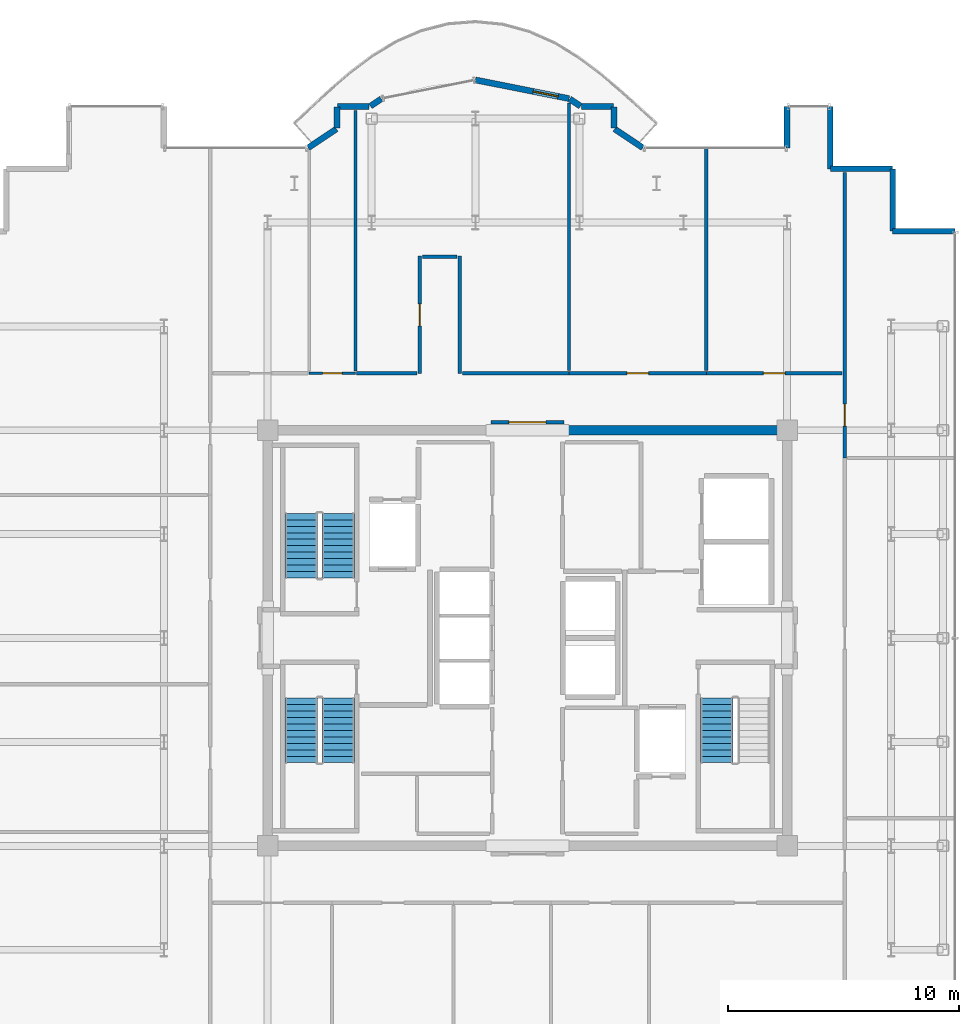
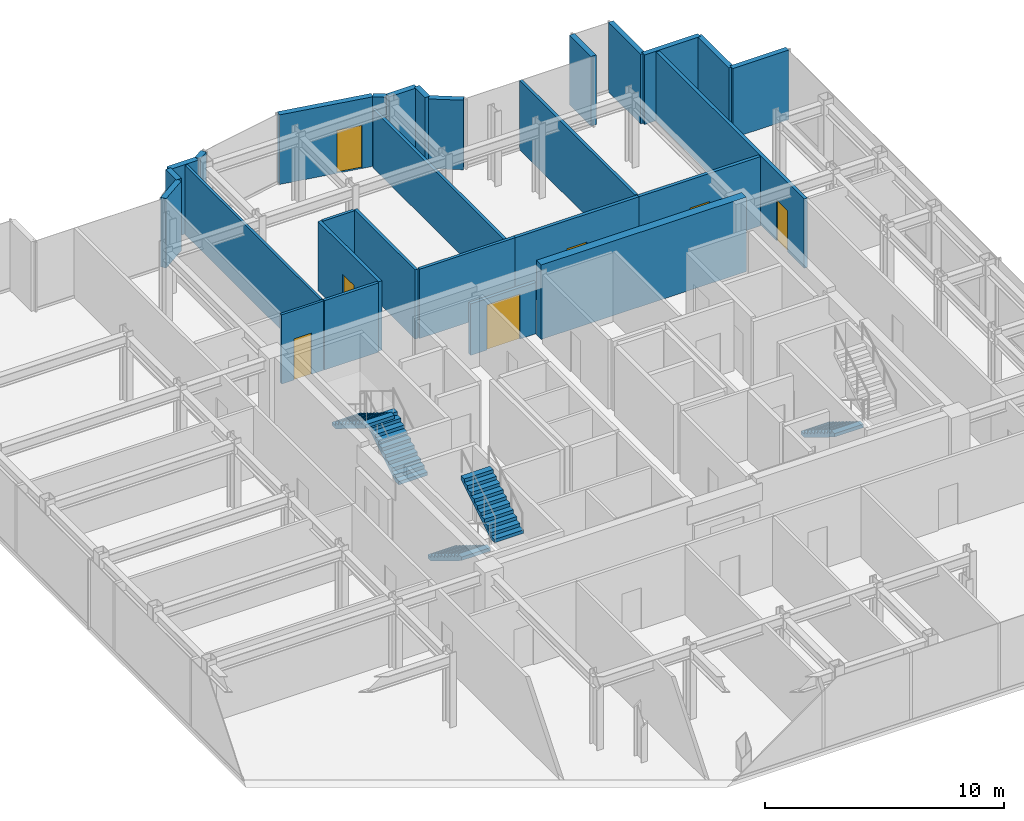
# One storey, part 16 of 18: 28 walls, 7 doors, 5 stair flights, 7 openings, 3 elements without a shape of their own.
"""IFC4 building model written with IfcOpenShell, lengths in metres."""

from ifc_helpers import new_model, si_unit, direction, frame, frame_2d, origin, place, context, subcontext, project, spatial, polyline, rectangle, outline, extrude, source, transform, mapped, material, layer, layer_set, type_object, element, fill, aggregate, save


model = new_model("IFC4")

# Units and contexts
model_context = context("Model", 3, precision=1e-05, world=origin(), true_north=direction((0.0, 1.0)))
body_context = subcontext(model_context, "Body", "Model", "MODEL_VIEW")
ifc_project = project(units=[si_unit("LENGTHUNIT", "METRE"), si_unit("AREAUNIT", "SQUARE_METRE"), si_unit("VOLUMEUNIT", "CUBIC_METRE"), si_unit("PLANEANGLEUNIT", "RADIAN"), si_unit("MASSUNIT", "GRAM", prefix="KILO")], contexts=[model_context])

# Site, building, storey
site_placement = place(None, origin())
site = spatial("IfcSite", under=ifc_project, at=site_placement, CompositionType="ELEMENT")
building_placement = place(site_placement, origin())
building = spatial("IfcBuilding", under=site, at=building_placement, Name="Nefas-Gora Pilgrimage Tower", CompositionType="ELEMENT")
storey_placement = place(building_placement, frame((0.0, 0.0, 326.199951171875)))
storey = spatial("IfcBuildingStorey", under=building, at=storey_placement, Name="L82", CompositionType="ELEMENT", Elevation=326.199951171875)

# Walls
ifc_material_1 = material(Name="Concrete C50/60", Category="concrete")
ifc_layer_1 = layer(ifc_material_1, 0.39990234375)
ifc_layer_set_1 = layer_set([ifc_layer_1], Name="Concrete C50/60")
wall_type_1 = type_object("IfcWallType", Name="SW-CORE-400", PredefinedType="SHEAR", material=ifc_layer_set_1)
shared_shape_1 = source(origin(), body_context, "Body", "SweptSolid", [
    extrude(rectangle(XDim=9.89990234375, YDim=0.39990234375, at=frame_2d((4.949951171875, 0.0))), origin(), (0.0, 0.0, 1.0), 3.800048828125),
])
wall_1_placement = place(storey_placement, frame((1.550048828125, 9.0, 0.0), z_axis=(0.0, 0.0, 1.0), x_axis=(1.0, 0.0, 0.0)))
element("IfcWall", 1, at=wall_1_placement, inside=storey, type_object=wall_type_1, Name="L82 Core Shear Wall N-East", PredefinedType="SHEAR", context=body_context, shape_type="MappedRepresentation", body=[
    mapped(shared_shape_1, transform((0.0, 0.0, 0.0), x_axis=(1.0, 0.0, 0.0), y_axis=(0.0, 1.0, 0.0), z_axis=(0.0, 0.0, 1.0), scale=1.0)),
])
ifc_material_2 = material(Name="Precast concrete C40/50", Category="concrete")
ifc_layer_2 = layer(ifc_material_2, 0.260009765625)
ifc_layer_set_2 = layer_set([ifc_layer_2], Name="Precast concrete C40/50")
wall_type_2 = type_object("IfcWallType", Name="EW-PORTAL-260", PredefinedType="SOLIDWALL", material=ifc_layer_set_2)
shared_shape_2 = source(origin(), body_context, "Body", "SweptSolid", [
    extrude(rectangle(XDim=1.800048828125, YDim=0.260009765625, at=frame_2d((0.89990234375, 0.0))), origin(), (0.0, 0.0, 1.0), 3.550048828125),
])
wall_2_placement = place(storey_placement, frame((11.25, 23.02001953125, 0.0), z_axis=(0.0, 0.0, 1.0), x_axis=(0.0, -1.0, 0.0)))
element("IfcWall", 2, at=wall_2_placement, inside=storey, type_object=wall_type_2, Name="L82 Lobe Shoulder Precast Spandrel Pier 6", PredefinedType="SOLIDWALL", context=body_context, shape_type="MappedRepresentation", body=[
    mapped(shared_shape_2, transform((0.0, 0.0, 0.0), x_axis=(1.0, 0.0, 0.0), y_axis=(0.0, 1.0, 0.0), z_axis=(0.0, 0.0, 1.0), scale=1.0)),
])
ifc_material_3 = material(Name="Precast concrete C45/55", Category="concrete")
ifc_layer_3 = layer(ifc_material_3, 0.239990234375)
ifc_layer_set_3 = layer_set([ifc_layer_3], Name="Precast concrete C45/55")
wall_type_3 = type_object("IfcWallType", Name="EW-SERR-240", PredefinedType="SHEAR", material=ifc_layer_set_3)
shared_shape_3 = source(origin(), body_context, "Body", "SweptSolid", [
    extrude(rectangle(XDim=2.699951171875, YDim=0.239990234375, at=frame_2d((1.35009765625, 0.0))), origin(), (0.0, 0.0, 1.0), 3.550048828125),
])
for number, where, z_axis, x_axis, name in (
    (3, (18.52001953125, 17.6201171875, 0.0), (0.0, 0.0, 1.0), (-1.0, 0.0, 0.0), "L82 Serrated Corner Shear Pier Wall 2"),
    (4, (15.820068359375, 17.6201171875, 0.0), (0.0, 0.0, 1.0), (0.0, 1.0, 0.0), "L82 Serrated Corner Shear Pier Wall 3"),
    (5, (15.820068359375, 20.320068359375, 0.0), (0.0, 0.0, 1.0), (-1.0, 0.0, 0.0), "L82 Serrated Corner Shear Pier Wall 4"),
    (6, (13.1201171875, 20.320068359375, 0.0), (0.0, 0.0, 1.0), (0.0, 1.0, 0.0), "L82 Serrated Corner Shear Pier Wall 5"),
):
    element("IfcWall", number, at=place(storey_placement, frame(where, z_axis=z_axis, x_axis=x_axis)), inside=storey, type_object=wall_type_3, Name=name, PredefinedType="SHEAR", context=body_context, shape_type="MappedRepresentation", body=[
        mapped(shared_shape_3, transform((0.0, 0.0, 0.0), x_axis=(1.0, 0.0, 0.0), y_axis=(0.0, 1.0, 0.0), z_axis=(0.0, 0.0, 1.0), scale=1.0)),
    ])
shared_shape_4 = source(origin(), body_context, "Body", "SweptSolid", [
    extrude(rectangle(XDim=1.468994140625, YDim=0.260009765625, at=frame_2d((0.734375, 0.0))), origin(), (0.0, 0.0, 1.0), 3.550048828125),
])
for number, where, z_axis, x_axis, name in (
    (7, (4.99462890625, 21.235595703125, 0.0), (0.0, 0.0, 1.0), (-0.831461760506, 0.555581983884, 0.0), "L82 Lobe Shoulder Precast Spandrel Pier 7"),
    (8, (-8.273193359375, 22.0517578125, 0.0), (0.0, 0.0, 1.0), (-0.831461760506, -0.555581983884, 0.0), "L82 Lobe Shoulder Precast Spandrel Pier 15"),
):
    element("IfcWall", number, at=place(storey_placement, frame(where, z_axis=z_axis, x_axis=x_axis)), inside=storey, type_object=wall_type_2, Name=name, PredefinedType="SOLIDWALL", context=body_context, shape_type="MappedRepresentation", body=[
        mapped(shared_shape_4, transform((0.0, 0.0, 0.0), x_axis=(1.0, 0.0, 0.0), y_axis=(0.0, 1.0, 0.0), z_axis=(0.0, 0.0, 1.0), scale=1.0)),
    ])
shared_shape_5 = source(origin(), body_context, "Body", "SweptSolid", [
    extrude(rectangle(XDim=0.896728515625, YDim=0.260009765625, at=frame_2d((0.4482421875, 0.0))), origin(), (0.0, 0.0, 1.0), 3.550048828125),
])
for number, where, z_axis, x_axis, name in (
    (9, (3.75, 22.09521484375, 0.0), (0.0, 0.0, 1.0), (0.0, 1.0, 0.0), "L82 Lobe Shoulder Precast Spandrel Pier 8"),
    (10, (-8.25, 22.991943359375, 0.0), (0.0, 0.0, 1.0), (0.0, -1.0, 0.0), "L82 Lobe Shoulder Precast Spandrel Pier 14"),
):
    element("IfcWall", number, at=place(storey_placement, frame(where, z_axis=z_axis, x_axis=x_axis)), inside=storey, type_object=wall_type_2, Name=name, PredefinedType="SOLIDWALL", context=body_context, shape_type="MappedRepresentation", body=[
        mapped(shared_shape_5, transform((0.0, 0.0, 0.0), x_axis=(1.0, 0.0, 0.0), y_axis=(0.0, 1.0, 0.0), z_axis=(0.0, 0.0, 1.0), scale=1.0)),
    ])
shared_shape_6 = source(origin(), body_context, "Body", "SweptSolid", [
    extrude(rectangle(XDim=1.369873046875, YDim=0.260009765625, at=frame_2d((0.68505859375, 0.0))), origin(), (0.0, 0.0, 1.0), 3.550048828125),
])
for number, where, z_axis, x_axis, name in (
    (11, (3.721923828125, 23.02001953125, 0.0), (0.0, 0.0, 1.0), (-1.0, 0.0, 0.0), "L82 Lobe Shoulder Precast Spandrel Pier 9"),
    (12, (-6.85205078125, 23.02001953125, 0.0), (0.0, 0.0, 1.0), (-1.0, 0.0, 0.0), "L82 Lobe Shoulder Precast Spandrel Pier 13"),
):
    element("IfcWall", number, at=place(storey_placement, frame(where, z_axis=z_axis, x_axis=x_axis)), inside=storey, type_object=wall_type_2, Name=name, PredefinedType="SOLIDWALL", context=body_context, shape_type="MappedRepresentation", body=[
        mapped(shared_shape_6, transform((0.0, 0.0, 0.0), x_axis=(1.0, 0.0, 0.0), y_axis=(0.0, 1.0, 0.0), z_axis=(0.0, 0.0, 1.0), scale=1.0)),
    ])
shared_shape_7 = source(origin(), body_context, "Body", "SweptSolid", [
    extrude(rectangle(XDim=0.5654296875, YDim=0.260009765625, at=frame_2d((0.28271484375, 0.0))), origin(), (0.0, 0.0, 1.0), 3.550048828125),
])
for number, where, z_axis, x_axis, name in (
    (13, (2.30078125, 23.03564453125, 0.0), (0.0, 0.0, 1.0), (-0.831651492666, 0.555297933317, 0.0), "L82 Lobe Shoulder Precast Spandrel Pier 10"),
    (14, (-6.33056640625, 23.349609375, 0.0), (0.0, 0.0, 1.0), (-0.831651492666, -0.555297933317, 0.0), "L82 Lobe Shoulder Precast Spandrel Pier 12"),
):
    element("IfcWall", number, at=place(storey_placement, frame(where, z_axis=z_axis, x_axis=x_axis)), inside=storey, type_object=wall_type_2, Name=name, PredefinedType="SOLIDWALL", context=body_context, shape_type="MappedRepresentation", body=[
        mapped(shared_shape_7, transform((0.0, 0.0, 0.0), x_axis=(1.0, 0.0, 0.0), y_axis=(0.0, 1.0, 0.0), z_axis=(0.0, 0.0, 1.0), scale=1.0)),
    ])

# Wall, opening, door
shared_shape_8 = source(origin(), body_context, "Body", "SweptSolid", [
    extrude(rectangle(XDim=4.136962890625, YDim=0.260009765625, at=frame_2d((2.068359375, 0.0))), origin(), (0.0, 0.0, 1.0), 3.550048828125),
])
wall_3_placement = place(storey_placement, frame((1.807373046875, 23.365234375, 0.0), z_axis=(0.0, 0.0, 1.0), x_axis=(-0.980782170794, 0.195105954428, 0.0)))
wall_3 = element("IfcWall", 15, at=wall_3_placement, inside=storey, type_object=wall_type_2, Name="L82 Insulated Terrace Portal Wall 11", PredefinedType="SOLIDWALL", context=body_context, shape_type="MappedRepresentation", body=[
    mapped(shared_shape_8, transform((0.0, 0.0, 0.0), x_axis=(1.0, 0.0, 0.0), y_axis=(0.0, 1.0, 0.0), z_axis=(0.0, 0.0, 1.0), scale=1.0)),
])
opening_1_placement = place(wall_3_placement, frame((0.48779296875, 0.0, 0.0)))
opening_1 = element("IfcOpeningElement", 16, at=opening_1_placement, cuts=wall_3, Name="Opening ED-B1", PredefinedType="OPENING", context=body_context, shape_type="SweptSolid", body=[
    extrude(rectangle(XDim=1.10009765625, YDim=2.199951171875, at=frame_2d((0.550048828125, 1.10009765625))), frame((0.0, 0.139892578125, 0.0), z_axis=(0.0, -1.0, 0.0), x_axis=(1.0, 0.0, 0.0)), (0.0, 0.0, 1.0), 0.280029296875),
])
ifc_material_4 = material(Name="Thermally broken glazed aluminium balcony door", Category="aluminium")
door_type_1 = type_object("IfcDoorType", Name="DR-EXT-BAL-1100", OperationType="NOTDEFINED", PredefinedType="DOOR", material=ifc_material_4)
shared_shape_9 = source(origin(), body_context, "Body", "SweptSolid", [
    extrude(rectangle(XDim=1.10009765625, YDim=2.199951171875, at=frame_2d((0.550048828125, 1.10009765625))), frame((0.0, 0.02490234375, 0.0), z_axis=(0.0, -1.0, 0.0), x_axis=(1.0, 0.0, 0.0)), (0.0, 0.0, 1.0), 0.050048828125),
])
door_1_placement = place(opening_1_placement, origin())
door_1 = element("IfcDoor", 17, at=door_1_placement, inside=storey, type_object=door_type_1, Name="L82 Exterior Door (L82 N Lobe Wave Balcony)", OperationType="SINGLE_SWING_LEFT", OverallHeight=2.199951171875, OverallWidth=1.10009765625, PredefinedType="DOOR", context=body_context, shape_type="MappedRepresentation", body=[
    mapped(shared_shape_9, transform((0.0, 0.0, 0.0), x_axis=(1.0, 0.0, 0.0), y_axis=(0.0, 1.0, 0.0), z_axis=(0.0, 0.0, 1.0), scale=1.0)),
])
fill(opening_1, door_1)

ifc_material_5 = material(Name="Moisture-resistant fire-rated gypsum partition")
ifc_layer_4 = layer(ifc_material_5, 0.1201171875)
ifc_layer_set_4 = layer_set([ifc_layer_4], Name="Moisture-resistant fire-rated gypsum partition")
wall_type_4 = type_object("IfcWallType", Name="IW-WET-120", PredefinedType="PLUMBINGWALL", material=ifc_layer_set_4)
shared_shape_10 = source(origin(), body_context, "Body", "SweptSolid", [
    extrude(rectangle(XDim=2.02001953125, YDim=0.1201171875, at=frame_2d((1.010009765625, 0.0))), origin(), (0.0, 0.0, 1.0), 3.53515625),
])
wall_4_placement = place(storey_placement, frame((-9.4599609375, 11.469970703125, 0.0), z_axis=(0.0, 0.0, 1.0), x_axis=(1.0, 0.0, 0.0)))
wall_4 = element("IfcWall", 18, at=wall_4_placement, inside=storey, type_object=wall_type_4, Name="L82 Accessible Unisex WC Partition Wall 30", PredefinedType="PLUMBINGWALL", context=body_context, shape_type="MappedRepresentation", body=[
    mapped(shared_shape_10, transform((0.0, 0.0, 0.0), x_axis=(1.0, 0.0, 0.0), y_axis=(0.0, 1.0, 0.0), z_axis=(0.0, 0.0, 1.0), scale=1.0)),
])
opening_2_placement = place(wall_4_placement, frame((0.5849609375, 0.0, 0.0)))
opening_2 = element("IfcOpeningElement", 19, at=opening_2_placement, cuts=wall_4, Name="Opening ID-BT1", PredefinedType="OPENING", context=body_context, shape_type="SweptSolid", body=[
    extrude(rectangle(XDim=0.85009765625, YDim=2.10009765625, at=frame_2d((0.425048828125, 1.050048828125))), frame((0.0, 0.070068359375, 0.0), z_axis=(0.0, -1.0, 0.0), x_axis=(1.0, 0.0, 0.0)), (0.0, 0.0, 1.0), 0.14013671875),
])
ifc_material_6 = material(Name="Moisture-resistant fire-rated timber door", Category="wood")
door_type_2 = type_object("IfcDoorType", Name="DR-INT-BATH-850", OperationType="NOTDEFINED", PredefinedType="DOOR", material=ifc_material_6)
shared_shape_11 = source(origin(), body_context, "Body", "SweptSolid", [
    extrude(rectangle(XDim=0.85009765625, YDim=2.10009765625, at=frame_2d((0.425048828125, 1.050048828125))), frame((0.0, 0.02490234375, 0.0), z_axis=(0.0, -1.0, 0.0), x_axis=(1.0, 0.0, 0.0)), (0.0, 0.0, 1.0), 0.050048828125),
])
door_2_placement = place(opening_2_placement, origin())
door_2 = element("IfcDoor", 20, at=door_2_placement, inside=storey, type_object=door_type_2, Name="L82 Accessible Unisex WC Door 13", OperationType="SINGLE_SWING_LEFT", OverallHeight=2.10009765625, OverallWidth=0.85009765625, PredefinedType="DOOR", context=body_context, shape_type="MappedRepresentation", body=[
    mapped(shared_shape_11, transform((0.0, 0.0, 0.0), x_axis=(1.0, 0.0, 0.0), y_axis=(0.0, 1.0, 0.0), z_axis=(0.0, 0.0, 1.0), scale=1.0)),
])
fill(opening_2, door_2)

# Walls
shared_shape_12 = source(origin(), body_context, "Body", "SweptSolid", [
    extrude(rectangle(XDim=11.280029296875, YDim=0.1201171875, at=frame_2d((5.64013671875, 0.0))), origin(), (0.0, 0.0, 1.0), 3.53515625),
])
wall_5_placement = place(storey_placement, frame((-7.449951171875, 11.570068359375, 0.0), z_axis=(0.0, 0.0, 1.0), x_axis=(0.0, 1.0, 0.0)))
element("IfcWall", 21, at=wall_5_placement, inside=storey, type_object=wall_type_4, Name="L82 Accessible Unisex WC Partition Wall 31", PredefinedType="PLUMBINGWALL", context=body_context, shape_type="MappedRepresentation", body=[
    mapped(shared_shape_12, transform((0.0, 0.0, 0.0), x_axis=(1.0, 0.0, 0.0), y_axis=(0.0, 1.0, 0.0), z_axis=(0.0, 0.0, 1.0), scale=1.0)),
])
ifc_material_7 = material(Name="Gypsum twin-stud partition")
ifc_layer_5 = layer(ifc_material_7, 0.139892578125)
ifc_layer_set_5 = layer_set([ifc_layer_5], Name="Gypsum twin-stud partition")
wall_type_5 = type_object("IfcWallType", Name="IW-UNIT-140", PredefinedType="PARTITIONING", material=ifc_layer_set_5)
shared_shape_13 = source(origin(), body_context, "Body", "SweptSolid", [
    extrude(rectangle(XDim=9.64990234375, YDim=0.139892578125, at=frame_2d((4.824951171875, 0.0))), origin(), (0.0, 0.0, 1.0), 3.53515625),
])
wall_6_placement = place(storey_placement, frame((7.75, 11.590087890625, 0.0), z_axis=(0.0, 0.0, 1.0), x_axis=(0.0, 1.0, 0.0)))
element("IfcWall", 22, at=wall_6_placement, inside=storey, type_object=wall_type_5, Name="L82 Pilgrim Contemplative Lounge Partition Wall 53", PredefinedType="PARTITIONING", context=body_context, shape_type="MappedRepresentation", body=[
    mapped(shared_shape_13, transform((0.0, 0.0, 0.0), x_axis=(1.0, 0.0, 0.0), y_axis=(0.0, 1.0, 0.0), z_axis=(0.0, 0.0, 1.0), scale=1.0)),
])

# Wall, opening, door
ifc_material_8 = material(Name="Gypsum acoustic stud partition")
ifc_layer_6 = layer(ifc_material_8, 0.159912109375)
ifc_layer_set_6 = layer_set([ifc_layer_6], Name="Gypsum acoustic stud partition")
wall_type_6 = type_object("IfcWallType", Name="IW-CORR-160", PredefinedType="PARTITIONING", material=ifc_layer_set_6)
shared_shape_14 = source(origin(), body_context, "Body", "SweptSolid", [
    extrude(rectangle(XDim=3.16015625, YDim=0.159912109375, at=frame_2d((1.580078125, 0.0))), origin(), (0.0, 0.0, 1.0), 2.625),
])
wall_7_placement = place(storey_placement, frame((-1.580078125, 9.35009765625, 0.0), z_axis=(0.0, 0.0, 1.0), x_axis=(1.0, 0.0, 0.0)))
wall_7 = element("IfcWall", 23, at=wall_7_placement, inside=storey, type_object=wall_type_6, Name="L82 Central Lift Lobby North Portal Wall 16", PredefinedType="PARTITIONING", context=body_context, shape_type="MappedRepresentation", body=[
    mapped(shared_shape_14, transform((0.0, 0.0, 0.0), x_axis=(1.0, 0.0, 0.0), y_axis=(0.0, 1.0, 0.0), z_axis=(0.0, 0.0, 1.0), scale=1.0)),
])
opening_3_placement = place(wall_7_placement, frame((0.780029296875, 0.0, 0.0)))
opening_3 = element("IfcOpeningElement", 24, at=opening_3_placement, cuts=wall_7, Name="Opening ID-HL1", PredefinedType="OPENING", context=body_context, shape_type="SweptSolid", body=[
    extrude(rectangle(XDim=1.60009765625, YDim=2.300048828125, at=frame_2d((0.800048828125, 1.14990234375))), frame((0.0, 0.08984375, 0.0), z_axis=(0.0, -1.0, 0.0), x_axis=(1.0, 0.0, 0.0)), (0.0, 0.0, 1.0), 0.179931640625),
])
ifc_material_9 = material(Name="Double acoustic timber assembly hall door", Category="wood")
door_type_3 = type_object("IfcDoorType", Name="DR-INT-HALL-1600", OperationType="DOUBLE_DOOR_SINGLE_SWING", PredefinedType="DOOR", material=ifc_material_9)
shared_shape_15 = source(origin(), body_context, "Body", "SweptSolid", [
    extrude(rectangle(XDim=1.60009765625, YDim=2.300048828125, at=frame_2d((0.800048828125, 1.14990234375))), frame((0.0, 0.02490234375, 0.0), z_axis=(0.0, -1.0, 0.0), x_axis=(1.0, 0.0, 0.0)), (0.0, 0.0, 1.0), 0.050048828125),
])
door_3_placement = place(opening_3_placement, origin())
door_3 = element("IfcDoor", 25, at=door_3_placement, inside=storey, type_object=door_type_3, Name="L82 Central Lift Lobby North Portal Door 6", OperationType="DOUBLE_DOOR_SINGLE_SWING", OverallHeight=2.300048828125, OverallWidth=1.60009765625, PredefinedType="DOOR", context=body_context, shape_type="MappedRepresentation", body=[
    mapped(shared_shape_15, transform((0.0, 0.0, 0.0), x_axis=(1.0, 0.0, 0.0), y_axis=(0.0, 1.0, 0.0), z_axis=(0.0, 0.0, 1.0), scale=1.0)),
])
fill(opening_3, door_3)

shared_shape_16 = source(origin(), body_context, "Body", "SweptSolid", [
    extrude(rectangle(XDim=5.080078125, YDim=0.159912109375, at=frame_2d((2.5400390625, 0.0))), origin(), (0.0, 0.0, 1.0), 3.53515625),
])
wall_8_placement = place(storey_placement, frame((-4.669921875, 11.4599609375, 0.0), z_axis=(0.0, 0.0, 1.0), x_axis=(0.0, 1.0, 0.0)))
wall_8 = element("IfcWall", 26, at=wall_8_placement, inside=storey, type_object=wall_type_6, Name="L82 Pilgrim Refectory Lounge Partition Wall 46", PredefinedType="PARTITIONING", context=body_context, shape_type="MappedRepresentation", body=[
    mapped(shared_shape_16, transform((0.0, 0.0, 0.0), x_axis=(1.0, 0.0, 0.0), y_axis=(0.0, 1.0, 0.0), z_axis=(0.0, 0.0, 1.0), scale=1.0)),
])
opening_4_placement = place(wall_8_placement, frame((2.06494140625, 0.0, 0.0)))
opening_4 = element("IfcOpeningElement", 27, at=opening_4_placement, cuts=wall_8, Name="Opening ID-GR1", PredefinedType="OPENING", context=body_context, shape_type="SweptSolid", body=[
    extrude(rectangle(XDim=0.949951171875, YDim=2.10009765625, at=frame_2d((0.47509765625, 1.050048828125))), frame((0.0, 0.08984375, 0.0), z_axis=(0.0, -1.0, 0.0), x_axis=(1.0, 0.0, 0.0)), (0.0, 0.0, 1.0), 0.179931640625),
])
ifc_material_10 = material(Name="Solid core oak fire-rated guest entrance door")
door_type_4 = type_object("IfcDoorType", Name="DR-INT-GUEST-950", OperationType="NOTDEFINED", PredefinedType="DOOR", material=ifc_material_10)
shared_shape_17 = source(origin(), body_context, "Body", "SweptSolid", [
    extrude(rectangle(XDim=0.949951171875, YDim=2.10009765625, at=frame_2d((0.47509765625, 1.050048828125))), frame((0.0, 0.02490234375, 0.0), z_axis=(0.0, -1.0, 0.0), x_axis=(1.0, 0.0, 0.0)), (0.0, 0.0, 1.0), 0.050048828125),
])
door_4_placement = place(opening_4_placement, origin())
door_4 = element("IfcDoor", 28, at=door_4_placement, inside=storey, type_object=door_type_4, Name="L82 Pilgrim Refectory Lounge Door 22", OperationType="SINGLE_SWING_RIGHT", OverallHeight=2.10009765625, OverallWidth=0.949951171875, PredefinedType="DOOR", context=body_context, shape_type="MappedRepresentation", body=[
    mapped(shared_shape_17, transform((0.0, 0.0, 0.0), x_axis=(1.0, 0.0, 0.0), y_axis=(0.0, 1.0, 0.0), z_axis=(0.0, 0.0, 1.0), scale=1.0)),
])
fill(opening_4, door_4)

# Walls
shared_shape_18 = source(origin(), body_context, "Body", "SweptSolid", [
    extrude(rectangle(XDim=5.080078125, YDim=0.139892578125, at=frame_2d((2.5400390625, 0.0))), origin(), (0.0, 0.0, 1.0), 3.53515625),
])
wall_9_placement = place(storey_placement, frame((-2.929931640625, 11.4599609375, 0.0), z_axis=(0.0, 0.0, 1.0), x_axis=(0.0, 1.0, 0.0)))
element("IfcWall", 29, at=wall_9_placement, inside=storey, type_object=wall_type_5, Name="L82 Pilgrim Refectory Lounge Partition Wall 47", PredefinedType="PARTITIONING", context=body_context, shape_type="MappedRepresentation", body=[
    mapped(shared_shape_18, transform((0.0, 0.0, 0.0), x_axis=(1.0, 0.0, 0.0), y_axis=(0.0, 1.0, 0.0), z_axis=(0.0, 0.0, 1.0), scale=1.0)),
])
shared_shape_19 = source(origin(), body_context, "Body", "SweptSolid", [
    extrude(rectangle(XDim=4.625, YDim=0.139892578125, at=frame_2d((2.3125, 0.0))), origin(), (0.0, 0.0, 1.0), 3.53515625),
])
wall_10_placement = place(storey_placement, frame((-2.820068359375, 11.469970703125, 0.0), z_axis=(0.0, 0.0, 1.0), x_axis=(1.0, 0.0, 0.0)))
element("IfcWall", 30, at=wall_10_placement, inside=storey, type_object=wall_type_5, Name="L82 Pilgrim Refectory Lounge Partition Wall 48", PredefinedType="PARTITIONING", context=body_context, shape_type="MappedRepresentation", body=[
    mapped(shared_shape_19, transform((0.0, 0.0, 0.0), x_axis=(1.0, 0.0, 0.0), y_axis=(0.0, 1.0, 0.0), z_axis=(0.0, 0.0, 1.0), scale=1.0)),
])
shared_shape_20 = source(origin(), body_context, "Body", "SweptSolid", [
    extrude(rectangle(XDim=2.614990234375, YDim=0.139892578125, at=frame_2d((1.3076171875, 0.0))), origin(), (0.0, 0.0, 1.0), 3.53515625),
])
wall_11_placement = place(storey_placement, frame((-7.405029296875, 11.469970703125, 0.0), z_axis=(0.0, 0.0, 1.0), x_axis=(1.0, 0.0, 0.0)))
element("IfcWall", 31, at=wall_11_placement, inside=storey, type_object=wall_type_5, Name="L82 Pilgrim Refectory Lounge Partition Wall 49", PredefinedType="PARTITIONING", context=body_context, shape_type="MappedRepresentation", body=[
    mapped(shared_shape_20, transform((0.0, 0.0, 0.0), x_axis=(1.0, 0.0, 0.0), y_axis=(0.0, 1.0, 0.0), z_axis=(0.0, 0.0, 1.0), scale=1.0)),
])
shared_shape_21 = source(origin(), body_context, "Body", "SweptSolid", [
    extrude(rectangle(XDim=1.510009765625, YDim=0.139892578125, at=frame_2d((0.7548828125, 0.0))), origin(), (0.0, 0.0, 1.0), 3.53515625),
])
wall_12_placement = place(storey_placement, frame((-4.550048828125, 16.52001953125, 0.0), z_axis=(0.0, 0.0, 1.0), x_axis=(1.0, 0.0, 0.0)))
element("IfcWall", 32, at=wall_12_placement, inside=storey, type_object=wall_type_5, Name="L82 Pilgrim Refectory Lounge Partition Wall 50", PredefinedType="PARTITIONING", context=body_context, shape_type="MappedRepresentation", body=[
    mapped(shared_shape_21, transform((0.0, 0.0, 0.0), x_axis=(1.0, 0.0, 0.0), y_axis=(0.0, 1.0, 0.0), z_axis=(0.0, 0.0, 1.0), scale=1.0)),
])
shared_shape_22 = source(origin(), body_context, "Body", "SweptSolid", [
    extrude(rectangle(XDim=11.59130859375, YDim=0.139892578125, at=frame_2d((5.795654296875, 0.0))), origin(), (0.0, 0.0, 1.0), 2.97509765625),
])
wall_13_placement = place(storey_placement, frame((1.794921875, 11.580078125, 0.0), z_axis=(0.0, 0.0, 1.0), x_axis=(0.0, 1.0, 0.0)))
element("IfcWall", 33, at=wall_13_placement, inside=storey, type_object=wall_type_5, Name="L82 Pilgrim Refectory Lounge Partition Wall 51", PredefinedType="PARTITIONING", context=body_context, shape_type="MappedRepresentation", body=[
    mapped(shared_shape_22, transform((0.0, 0.0, 0.0), x_axis=(1.0, 0.0, 0.0), y_axis=(0.0, 1.0, 0.0), z_axis=(0.0, 0.0, 1.0), scale=1.0)),
])

# Wall, opening, door
shared_shape_23 = source(origin(), body_context, "Body", "SweptSolid", [
    extrude(rectangle(XDim=12.364990234375, YDim=0.159912109375, at=frame_2d((6.1826171875, 0.0))), origin(), (0.0, 0.0, 1.0), 3.53515625),
])
wall_14_placement = place(storey_placement, frame((13.739990234375, 7.794921875, 0.0), z_axis=(0.0, 0.0, 1.0), x_axis=(0.0, 1.0, 0.0)))
wall_14 = element("IfcWall", 34, at=wall_14_placement, inside=storey, type_object=wall_type_6, Name="L82 Pilgrim Fellowship Seminar Room Partition Wall 44", PredefinedType="PARTITIONING", context=body_context, shape_type="MappedRepresentation", body=[
    mapped(shared_shape_23, transform((0.0, 0.0, 0.0), x_axis=(1.0, 0.0, 0.0), y_axis=(0.0, 1.0, 0.0), z_axis=(0.0, 0.0, 1.0), scale=1.0)),
])
opening_5_placement = place(wall_14_placement, frame((1.382568359375, 0.0, 0.0)))
opening_5 = element("IfcOpeningElement", 35, at=opening_5_placement, cuts=wall_14, Name="Opening ID-GR1", PredefinedType="OPENING", context=body_context, shape_type="SweptSolid", body=[
    extrude(rectangle(XDim=0.949951171875, YDim=2.10009765625, at=frame_2d((0.47509765625, 1.050048828125))), frame((0.0, 0.08984375, 0.0), z_axis=(0.0, -1.0, 0.0), x_axis=(1.0, 0.0, 0.0)), (0.0, 0.0, 1.0), 0.179931640625),
])
door_5_placement = place(opening_5_placement, origin())
door_5 = element("IfcDoor", 36, at=door_5_placement, inside=storey, type_object=door_type_4, Name="L82 Pilgrim Fellowship Seminar Room Door 20", OperationType="SINGLE_SWING_RIGHT", OverallHeight=2.10009765625, OverallWidth=0.949951171875, PredefinedType="DOOR", context=body_context, shape_type="MappedRepresentation", body=[
    mapped(shared_shape_17, transform((0.0, 0.0, 0.0), x_axis=(1.0, 0.0, 0.0), y_axis=(0.0, 1.0, 0.0), z_axis=(0.0, 0.0, 1.0), scale=1.0)),
])
fill(opening_5, door_5)

shared_shape_24 = source(origin(), body_context, "Body", "SweptSolid", [
    extrude(rectangle(XDim=5.965087890625, YDim=0.159912109375, at=frame_2d((2.982421875, 0.0))), origin(), (0.0, 0.0, 1.0), 3.53515625),
])
wall_15_placement = place(storey_placement, frame((1.794921875, 11.469970703125, 0.0), z_axis=(0.0, 0.0, 1.0), x_axis=(1.0, 0.0, 0.0)))
wall_15 = element("IfcWall", 37, at=wall_15_placement, inside=storey, type_object=wall_type_6, Name="L82 Pilgrim Contemplative Lounge Partition Wall 52", PredefinedType="PARTITIONING", context=body_context, shape_type="MappedRepresentation", body=[
    mapped(shared_shape_24, transform((0.0, 0.0, 0.0), x_axis=(1.0, 0.0, 0.0), y_axis=(0.0, 1.0, 0.0), z_axis=(0.0, 0.0, 1.0), scale=1.0)),
])
opening_6_placement = place(wall_15_placement, frame((2.507568359375, 0.0, 0.0)))
opening_6 = element("IfcOpeningElement", 38, at=opening_6_placement, cuts=wall_15, Name="Opening ID-GR1", PredefinedType="OPENING", context=body_context, shape_type="SweptSolid", body=[
    extrude(rectangle(XDim=0.949951171875, YDim=2.10009765625, at=frame_2d((0.47509765625, 1.050048828125))), frame((0.0, 0.08984375, 0.0), z_axis=(0.0, -1.0, 0.0), x_axis=(1.0, 0.0, 0.0)), (0.0, 0.0, 1.0), 0.179931640625),
])
door_6_placement = place(opening_6_placement, origin())
door_6 = element("IfcDoor", 39, at=door_6_placement, inside=storey, type_object=door_type_4, Name="L82 Pilgrim Contemplative Lounge Door 23", OperationType="SINGLE_SWING_LEFT", OverallHeight=2.10009765625, OverallWidth=0.949951171875, PredefinedType="DOOR", context=body_context, shape_type="MappedRepresentation", body=[
    mapped(shared_shape_17, transform((0.0, 0.0, 0.0), x_axis=(1.0, 0.0, 0.0), y_axis=(0.0, 1.0, 0.0), z_axis=(0.0, 0.0, 1.0), scale=1.0)),
])
fill(opening_6, door_6)

shared_shape_25 = source(origin(), body_context, "Body", "SweptSolid", [
    extrude(rectangle(XDim=5.860107421875, YDim=0.159912109375, at=frame_2d((2.93017578125, 0.0))), origin(), (0.0, 0.0, 1.0), 3.53515625),
])
wall_16_placement = place(storey_placement, frame((7.760009765625, 11.469970703125, 0.0), z_axis=(0.0, 0.0, 1.0), x_axis=(1.0, 0.0, 0.0)))
wall_16 = element("IfcWall", 40, at=wall_16_placement, inside=storey, type_object=wall_type_6, Name="L82 Pilgrim Contemplative Lounge Partition Wall 54", PredefinedType="PARTITIONING", context=body_context, shape_type="MappedRepresentation", body=[
    mapped(shared_shape_25, transform((0.0, 0.0, 0.0), x_axis=(1.0, 0.0, 0.0), y_axis=(0.0, 1.0, 0.0), z_axis=(0.0, 0.0, 1.0), scale=1.0)),
])
opening_7_placement = place(wall_16_placement, frame((2.455078125, 0.0, 0.0)))
opening_7 = element("IfcOpeningElement", 41, at=opening_7_placement, cuts=wall_16, Name="Opening ID-GR1", PredefinedType="OPENING", context=body_context, shape_type="SweptSolid", body=[
    extrude(rectangle(XDim=0.949951171875, YDim=2.10009765625, at=frame_2d((0.47509765625, 1.050048828125))), frame((0.0, 0.08984375, 0.0), z_axis=(0.0, -1.0, 0.0), x_axis=(1.0, 0.0, 0.0)), (0.0, 0.0, 1.0), 0.179931640625),
])
door_7_placement = place(opening_7_placement, origin())
door_7 = element("IfcDoor", 42, at=door_7_placement, inside=storey, type_object=door_type_4, Name="L82 Pilgrim Contemplative Lounge Door 24", OperationType="SINGLE_SWING_RIGHT", OverallHeight=2.10009765625, OverallWidth=0.949951171875, PredefinedType="DOOR", context=body_context, shape_type="MappedRepresentation", body=[
    mapped(shared_shape_17, transform((0.0, 0.0, 0.0), x_axis=(1.0, 0.0, 0.0), y_axis=(0.0, 1.0, 0.0), z_axis=(0.0, 0.0, 1.0), scale=1.0)),
])
fill(opening_7, door_7)

# Stair, stair flights
ifc_material_11 = material(Name="Concrete C45/55", Category="concrete")
stair_type = type_object("IfcStairType", Name="STR-1400-R1727", PredefinedType="HALF_TURN_STAIR", material=ifc_material_11)
stair_1_placement = place(storey_placement, origin())
stair_1 = element("IfcStair", 43, at=stair_1_placement, inside=storey, type_object=stair_type, Name="L82 Pressurised Tower Exit Stair ST-01", PredefinedType="HALF_TURN_STAIR")
stair_flight_type = type_object("IfcStairFlightType", Name="STF-1400-R1727", PredefinedType="STRAIGHT", material=ifc_material_11)
shared_shape_26 = source(origin(), body_context, "Body", "SweptSolid", [
    extrude(outline(polyline([(0.0, 0.0), (0.0, 0.172607421875), (0.280029296875, 0.172607421875), (0.280029296875, 0.345458984375), (0.56005859375, 0.345458984375), (0.56005859375, 0.51806640625), (0.840087890625, 0.51806640625), (0.840087890625, 0.69091796875), (1.1201171875, 0.69091796875), (1.1201171875, 0.863525390625), (1.39990234375, 0.863525390625), (1.39990234375, 1.036376953125), (1.679931640625, 1.036376953125), (1.679931640625, 1.208984375), (1.9599609375, 1.208984375), (1.9599609375, 1.3818359375), (2.239990234375, 1.3818359375), (2.239990234375, 1.554443359375), (2.52001953125, 1.554443359375), (2.52001953125, 1.727294921875), (2.800048828125, 1.727294921875), (2.800048828125, 1.89990234375), (2.800048828125, 1.551025390625), (0.285400390625, 0.0), (0.0, 0.0)])), frame((0.0, 0.699951171875, 0.0), z_axis=(0.0, -1.0, 0.0), x_axis=(1.0, 0.0, 0.0)), (0.0, 0.0, 1.0), 1.39990234375),
])
stair_flight_1_placement = place(storey_placement, frame((-8.199951171875, 2.60009765625, 0.0), z_axis=(0.0, 0.0, 1.0), x_axis=(0.0, 1.0, 0.0)))
stair_flight_1 = element("IfcStairFlight", 44, at=stair_flight_1_placement, type_object=stair_flight_type, Name="ST-01 flight 1", NumberOfRisers=11, NumberOfTreads=10, PredefinedType="STRAIGHT", RiserHeight=0.172727273, TreadLength=0.28, context=body_context, shape_type="MappedRepresentation", body=[
    mapped(shared_shape_26, transform((0.0, 0.0, 0.0), x_axis=(1.0, 0.0, 0.0), y_axis=(0.0, 1.0, 0.0), z_axis=(0.0, 0.0, 1.0), scale=1.0)),
])
stair_flight_2_placement = place(storey_placement, frame((-9.800048828125, 5.39990234375, 1.900146484375), z_axis=(0.0, 0.0, 1.0), x_axis=(0.0, -1.0, 0.0)))
stair_flight_2 = element("IfcStairFlight", 45, at=stair_flight_2_placement, type_object=stair_flight_type, Name="ST-01 flight 2", NumberOfRisers=11, NumberOfTreads=10, PredefinedType="STRAIGHT", RiserHeight=0.172727273, TreadLength=0.28, context=body_context, shape_type="MappedRepresentation", body=[
    mapped(shared_shape_26, transform((0.0, 0.0, 0.0), x_axis=(1.0, 0.0, 0.0), y_axis=(0.0, 1.0, 0.0), z_axis=(0.0, 0.0, 1.0), scale=1.0)),
])
aggregate(stair_1, [stair_flight_1, stair_flight_2])

# Stair, stair flight
stair_2_placement = place(storey_placement, origin())
stair_2 = element("IfcStair", 46, at=stair_2_placement, inside=storey, type_object=stair_type, Name="L82 Pressurised Tower Exit Stair ST-02", PredefinedType="HALF_TURN_STAIR")
stair_flight_3_placement = place(storey_placement, frame((8.199951171875, -2.60009765625, 0.0), z_axis=(0.0, 0.0, 1.0), x_axis=(0.0, -1.0, 0.0)))
stair_flight_3 = element("IfcStairFlight", 47, at=stair_flight_3_placement, type_object=stair_flight_type, Name="ST-02 flight 1", NumberOfRisers=11, NumberOfTreads=10, PredefinedType="STRAIGHT", RiserHeight=0.172727273, TreadLength=0.28, context=body_context, shape_type="MappedRepresentation", body=[
    mapped(shared_shape_26, transform((0.0, 0.0, 0.0), x_axis=(1.0, 0.0, 0.0), y_axis=(0.0, 1.0, 0.0), z_axis=(0.0, 0.0, 1.0), scale=1.0)),
])
aggregate(stair_2, [stair_flight_3])

# Stair, stair flights
stair_3_placement = place(storey_placement, origin())
stair_3 = element("IfcStair", 48, at=stair_3_placement, inside=storey, type_object=stair_type, Name="L82 Pressurised Tower Exit Stair ST-03", PredefinedType="HALF_TURN_STAIR")
stair_flight_4_placement = place(storey_placement, frame((-9.800048828125, -2.60009765625, 0.0), z_axis=(0.0, 0.0, 1.0), x_axis=(0.0, -1.0, 0.0)))
stair_flight_4 = element("IfcStairFlight", 49, at=stair_flight_4_placement, type_object=stair_flight_type, Name="ST-03 flight 1", NumberOfRisers=11, NumberOfTreads=10, PredefinedType="STRAIGHT", RiserHeight=0.172727273, TreadLength=0.28, context=body_context, shape_type="MappedRepresentation", body=[
    mapped(shared_shape_26, transform((0.0, 0.0, 0.0), x_axis=(1.0, 0.0, 0.0), y_axis=(0.0, 1.0, 0.0), z_axis=(0.0, 0.0, 1.0), scale=1.0)),
])
stair_flight_5_placement = place(storey_placement, frame((-8.199951171875, -5.39990234375, 1.900146484375), z_axis=(0.0, 0.0, 1.0), x_axis=(0.0, 1.0, 0.0)))
stair_flight_5 = element("IfcStairFlight", 50, at=stair_flight_5_placement, type_object=stair_flight_type, Name="ST-03 flight 2", NumberOfRisers=11, NumberOfTreads=10, PredefinedType="STRAIGHT", RiserHeight=0.172727273, TreadLength=0.28, context=body_context, shape_type="MappedRepresentation", body=[
    mapped(shared_shape_26, transform((0.0, 0.0, 0.0), x_axis=(1.0, 0.0, 0.0), y_axis=(0.0, 1.0, 0.0), z_axis=(0.0, 0.0, 1.0), scale=1.0)),
])
aggregate(stair_3, [stair_flight_4, stair_flight_5])

save(model, "model.ifc")
